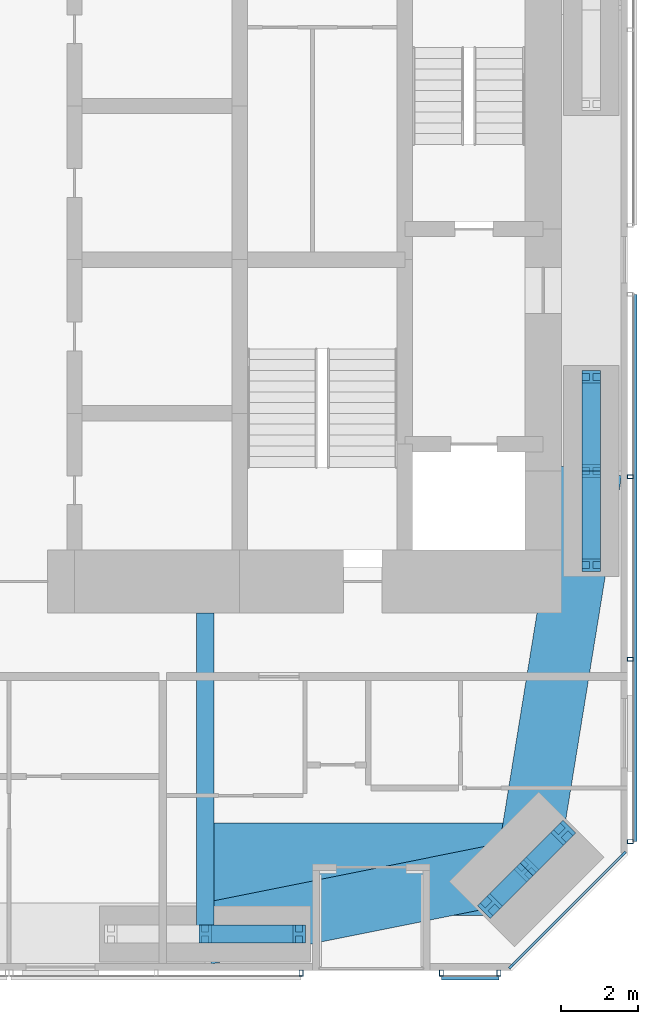
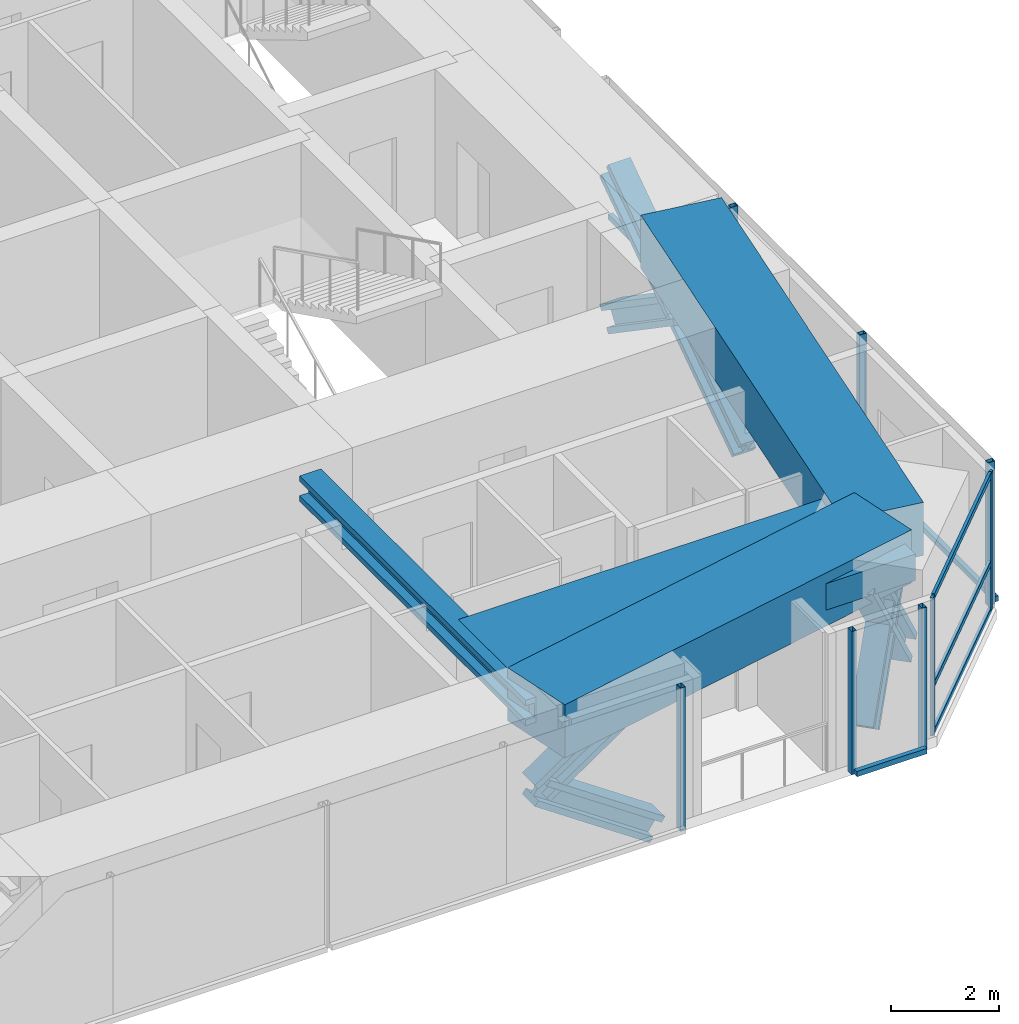
# One storey, part 7 of 22: 23 members, 4 beams, 4 elements without a shape of their own.
"""IFC4 building model written with IfcOpenShell, lengths in metres."""

from ifc_helpers import new_model, si_unit, direction, frame, origin, origin_2d, place, context, subcontext, project, spatial, rectangle, hollow_rectangle, i_section, extrude, material, material_profile, profile_set, type_object, element, aggregate, save


model = new_model("IFC4")

# Units and contexts
model_context = context("Model", 3, precision=1e-05, world=origin(), true_north=direction((0.0, 1.0)))
body_context = subcontext(model_context, "Body", "Model", "MODEL_VIEW")
ifc_project = project(units=[si_unit("LENGTHUNIT", "METRE"), si_unit("AREAUNIT", "SQUARE_METRE"), si_unit("VOLUMEUNIT", "CUBIC_METRE"), si_unit("PLANEANGLEUNIT", "RADIAN"), si_unit("MASSUNIT", "GRAM", prefix="KILO")], contexts=[model_context])

# Site, building, storey
site_placement = place(None, origin())
site = spatial("IfcSite", under=ifc_project, at=site_placement, CompositionType="ELEMENT")
building_placement = place(site_placement, origin())
building = spatial("IfcBuilding", under=site, at=building_placement, Name="Jalousie Tower", CompositionType="ELEMENT")
storey_placement = place(building_placement, frame((0.0, 0.0, 64.550048828125)))
storey = spatial("IfcBuildingStorey", under=building, at=storey_placement, Name="L17", CompositionType="ELEMENT", Elevation=64.550048828125)

# Curtain wall, members
ifc_material_1 = material(Name="Aluminium curtain wall", Category="aluminium")
curtain_wall_type_1 = type_object("IfcCurtainWallType", Name="CORNER WINDOW WALL", PredefinedType="USERDEFINED", material=ifc_material_1)
curtain_wall_1_placement = place(storey_placement, origin())
curtain_wall_1 = element("IfcCurtainWall", 1, at=curtain_wall_1_placement, inside=storey, type_object=curtain_wall_type_1, Name="Corner Window Wall L17 2", ObjectType="CORNER WINDOW WALL", PredefinedType="USERDEFINED")
ifc_material_2 = material(Name="Aluminium mullion", Category="aluminium")
ifc_material_profile_1 = material_profile(ifc_material_2, rectangle(XDim=0.06005859375, YDim=0.14990234375, at=origin_2d()), Name="MULLION 60x150")
ifc_profile_set_1 = profile_set([ifc_material_profile_1], Name="Aluminium mullion")
member_type_1 = type_object("IfcMemberType", Name="CORNER WINDOW WALL MULLION", PredefinedType="MULLION", material=ifc_profile_set_1)
member_1_placement = place(storey_placement, frame((42.969970703125, 0.108642578125, 0.0), z_axis=(0.0, 0.0, 1.0), x_axis=(-0.707106781187, 0.707106781187, 0.0)))
member_1 = element("IfcMember", 2, at=member_1_placement, type_object=member_type_1, Name="CW-C mullion 1", PredefinedType="MULLION", context=body_context, shape_type="SweptSolid", body=[
    extrude(rectangle(XDim=0.06005859375, YDim=0.14990234375, at=origin_2d()), origin(), (0.0, 0.0, 1.0), 3.10986328125),
])
member_2_placement = place(storey_placement, frame((45.891357421875, 3.030029296875, 0.0), z_axis=(0.0, 0.0, 1.0), x_axis=(-0.707106781187, 0.707106781187, 0.0)))
member_2 = element("IfcMember", 3, at=member_2_placement, type_object=member_type_1, Name="CW-C mullion 2", PredefinedType="MULLION", context=body_context, shape_type="SweptSolid", body=[
    extrude(rectangle(XDim=0.06005859375, YDim=0.14990234375, at=origin_2d()), origin(), (0.0, 0.0, 1.0), 3.10986328125),
])
ifc_material_3 = material(Name="Aluminium transom", Category="aluminium")
ifc_material_profile_2 = material_profile(ifc_material_3, rectangle(XDim=0.06005859375, YDim=0.1201171875, at=origin_2d()), Name="TRANSOM 60x120")
ifc_profile_set_2 = profile_set([ifc_material_profile_2], Name="Aluminium transom")
member_type_2 = type_object("IfcMemberType", Name="CORNER WINDOW WALL TRANSOM", PredefinedType="USERDEFINED", material=ifc_profile_set_2)
member_3_placement = place(storey_placement, frame((42.9912109375, 0.1298828125, 0.030029296875), z_axis=(0.707106781187, 0.707106781187, 0.0), x_axis=(-0.707106781187, 0.707106781187, 0.0)))
member_3 = element("IfcMember", 4, at=member_3_placement, type_object=member_type_2, Name="CW-C transom 1.1", ObjectType="TRANSOM", PredefinedType="USERDEFINED", context=body_context, shape_type="SweptSolid", body=[
    extrude(rectangle(XDim=0.06005859375, YDim=0.1201171875, at=origin_2d()), origin(), (0.0, 0.0, 1.0), 4.0712890625),
])
member_4_placement = place(storey_placement, frame((42.9912109375, 0.1298828125, 1.099853515625), z_axis=(0.707106781187, 0.707106781187, 0.0), x_axis=(-0.707106781187, 0.707106781187, 0.0)))
member_4 = element("IfcMember", 5, at=member_4_placement, type_object=member_type_2, Name="CW-C transom 1.2", ObjectType="TRANSOM", PredefinedType="USERDEFINED", context=body_context, shape_type="SweptSolid", body=[
    extrude(rectangle(XDim=0.06005859375, YDim=0.1201171875, at=origin_2d()), origin(), (0.0, 0.0, 1.0), 4.0712890625),
])
member_5_placement = place(storey_placement, frame((42.9912109375, 0.1298828125, 3.079833984375), z_axis=(0.707106781187, 0.707106781187, 0.0), x_axis=(-0.707106781187, 0.707106781187, 0.0)))
member_5 = element("IfcMember", 6, at=member_5_placement, type_object=member_type_2, Name="CW-C transom 1.3", ObjectType="TRANSOM", PredefinedType="USERDEFINED", context=body_context, shape_type="SweptSolid", body=[
    extrude(rectangle(XDim=0.06005859375, YDim=0.1201171875, at=origin_2d()), origin(), (0.0, 0.0, 1.0), 4.0712890625),
])
aggregate(curtain_wall_1, [member_1, member_2, member_3, member_4, member_5])

# Beam
ifc_material_4 = material(Name="Steel ASTM A992 Grade 50", Category="steel")
ifc_material_profile_3 = material_profile(ifc_material_4, i_section(OverallWidth=0.45458984375, OverallDepth=0.569091796875, WebThickness=0.077880859375, FlangeThickness=0.124755859375, at=origin_2d()), Name="W14X730")
ifc_profile_set_3 = profile_set([ifc_material_profile_3], Name="Steel ASTM A992 Grade 50")
beam_type_1 = type_object("IfcBeamType", Name="LEAN COLLECTOR W14X730", PredefinedType="BEAM", material=ifc_profile_set_3)
beam_1_placement = place(storey_placement, frame((35.0, 0.949951171875, 2.825439453125), z_axis=(0.0, 1.0, 0.0), x_axis=(-1.0, 0.0, 0.0)))
element("IfcBeam", 7, at=beam_1_placement, inside=storey, type_object=beam_type_1, Name="Lean collector under L18", PredefinedType="BEAM", context=body_context, shape_type="SweptSolid", body=[
    extrude(i_section(OverallWidth=0.45458984375, OverallDepth=0.569091796875, WebThickness=0.077880859375, FlangeThickness=0.124755859375, at=origin_2d()), origin(), (0.0, 0.0, 1.0), 8.35009765625),
])

# Members
ifc_material_5 = material(Name="Steel ASTM A992 Grade 50", Category="steel")
ifc_material_profile_4 = material_profile(ifc_material_5, i_section(OverallWidth=0.472412109375, OverallDepth=0.5791015625, WebThickness=0.094970703125, FlangeThickness=0.1298828125, at=origin_2d()), Name="W14X808")
ifc_profile_set_4 = profile_set([ifc_material_profile_4], Name="Steel ASTM A992 Grade 50")
member_type_3 = type_object("IfcMemberType", Name="PERIMETER BRACE W14X808", PredefinedType="BRACE", material=ifc_profile_set_4)
for number, where, z_axis, x_axis, name in (
    (8, (35.0, 0.949951171875, 1.074951171875), (0.825500916831, 0.0, 0.564400776321), (0.0, 1.0, 0.0), "Perimeter brace 04 L17 part 2"),
    (9, (37.449951171875, 0.949951171875, -0.60009765625), (-0.825500916831, 0.0, 0.564400776321), (0.0, -1.0, 0.0), "Perimeter brace 04 L17 part 3"),
):
    element("IfcMember", number, at=place(storey_placement, frame(where, z_axis=z_axis, x_axis=x_axis)), inside=storey, type_object=member_type_3, Name=name, PredefinedType="BRACE", context=body_context, shape_type="SweptSolid", body=[
        extrude(i_section(OverallWidth=0.472412109375, OverallDepth=0.5791015625, WebThickness=0.094970703125, FlangeThickness=0.1298828125, at=origin_2d()), origin(), (0.0, 0.0, 1.0), 2.9677734375),
    ])
for number, where, z_axis, x_axis, name in (
    (10, (42.4140625, 1.6767578125, -0.60009765625), (0.443718327034, 0.443718327034, 0.778606506849), (-0.707106781187, 0.707106781187, 0.0), "Perimeter brace 05 L17 part 1"),
    (11, (43.36865234375, 2.63134765625, 1.074951171875), (0.443718327034, 0.443718327034, 0.778606506849), (-0.707106781187, 0.707106781187, 0.0), "Perimeter brace 05 L17 part 2"),
    (12, (44.3232421875, 3.5859375, -0.60009765625), (-0.443718327034, -0.443718327034, 0.778606506849), (0.707106781187, -0.707106781187, 0.0), "Perimeter brace 05 L17 part 3"),
    (13, (43.36865234375, 2.63134765625, 1.074951171875), (-0.443718327034, -0.443718327034, 0.778606506849), (0.707106781187, -0.707106781187, 0.0), "Perimeter brace 05 L17 part 4"),
):
    element("IfcMember", number, at=place(storey_placement, frame(where, z_axis=z_axis, x_axis=x_axis)), inside=storey, type_object=member_type_3, Name=name, PredefinedType="BRACE", context=body_context, shape_type="SweptSolid", body=[
        extrude(i_section(OverallWidth=0.472412109375, OverallDepth=0.5791015625, WebThickness=0.094970703125, FlangeThickness=0.1298828125, at=origin_2d()), origin(), (0.0, 0.0, 1.0), 2.1513671875),
    ])
for number, where, z_axis, x_axis, name in (
    (14, (45.050048828125, 10.550048828125, -0.60009765625), (0.0, 0.825500916831, 0.564400776321), (-1.0, 0.0, 0.0), "Perimeter brace 06 L17 part 1"),
    (15, (45.050048828125, 13.0, 1.074951171875), (0.0, 0.825500916831, 0.564400776321), (-1.0, 0.0, 0.0), "Perimeter brace 06 L17 part 2"),
    (16, (45.050048828125, 15.449951171875, -0.60009765625), (0.0, -0.825500916831, 0.564400776321), (1.0, 0.0, 0.0), "Perimeter brace 06 L17 part 3"),
    (17, (45.050048828125, 13.0, 1.074951171875), (0.0, -0.825500916831, 0.564400776321), (1.0, 0.0, 0.0), "Perimeter brace 06 L17 part 4"),
):
    element("IfcMember", number, at=place(storey_placement, frame(where, z_axis=z_axis, x_axis=x_axis)), inside=storey, type_object=member_type_3, Name=name, PredefinedType="BRACE", context=body_context, shape_type="SweptSolid", body=[
        extrude(i_section(OverallWidth=0.472412109375, OverallDepth=0.5791015625, WebThickness=0.094970703125, FlangeThickness=0.1298828125, at=origin_2d()), origin(), (0.0, 0.0, 1.0), 2.9677734375),
    ])

# Beams
ifc_material_6 = material(Name="Concrete f'c 40 MPa", Category="concrete")
ifc_material_profile_5 = material_profile(ifc_material_6, rectangle(XDim=1.60009765625, YDim=1.199951171875, at=origin_2d()), Name="RC 1600x1200")
ifc_profile_set_5 = profile_set([ifc_material_profile_5], Name="Concrete f'c 40 MPa")
beam_type_2 = type_object("IfcBeamType", Name="RC BEAM 1600x1200", PredefinedType="BEAM", material=ifc_profile_set_5)
beam_2_placement = place(storey_placement, frame((35.0, 0.949951171875, 2.75), z_axis=(0.980407585444, 0.196979609107, 0.0), x_axis=(-0.196979609107, 0.980407585444, 0.0)))
element("IfcBeam", 18, at=beam_2_placement, inside=storey, type_object=beam_type_2, Name="Edge band beam 04-05 under L18", PredefinedType="BEAM", context=body_context, shape_type="SweptSolid", body=[
    extrude(rectangle(XDim=1.60009765625, YDim=1.199951171875, at=origin_2d()), origin(), (0.0, 0.0, 1.0), 8.535888671875),
])
beam_3_placement = place(storey_placement, frame((43.36865234375, 2.63134765625, 2.75), z_axis=(0.160070546476, 0.987105577003, 0.0), x_axis=(-0.987105577003, 0.160070546476, 0.0)))
element("IfcBeam", 19, at=beam_3_placement, inside=storey, type_object=beam_type_2, Name="Edge band beam 05-06 under L18", PredefinedType="BEAM", context=body_context, shape_type="SweptSolid", body=[
    extrude(rectangle(XDim=1.60009765625, YDim=1.199951171875, at=origin_2d()), origin(), (0.0, 0.0, 1.0), 10.504150390625),
])
ifc_material_7 = material(Name="Concrete f'c 40 MPa", Category="concrete")
ifc_material_profile_6 = material_profile(ifc_material_7, rectangle(XDim=2.39990234375, YDim=0.60009765625, at=origin_2d()), Name="RC 2400x600")
ifc_profile_set_6 = profile_set([ifc_material_profile_6], Name="Concrete f'c 40 MPa")
beam_type_3 = type_object("IfcBeamType", Name="RC BEAM 2400x600", PredefinedType="BEAM", material=ifc_profile_set_6)
beam_4_placement = place(storey_placement, frame((43.36865234375, 2.63134765625, 2.81005859375), z_axis=(-1.0, 0.0, 0.0), x_axis=(0.0, -1.0, 0.0)))
element("IfcBeam", 20, at=beam_4_placement, inside=storey, type_object=beam_type_3, Name="Floor band beam under L18", PredefinedType="BEAM", context=body_context, shape_type="SweptSolid", body=[
    extrude(rectangle(XDim=2.39990234375, YDim=0.60009765625, at=origin_2d()), origin(), (0.0, 0.0, 1.0), 8.36865234375),
])

# Curtain wall, member
ifc_material_8 = material(Name="Perforated aluminium sheet", Category="aluminium")
curtain_wall_type_2 = type_object("IfcCurtainWallType", Name="SOLAR SCREEN SS-1", PredefinedType="USERDEFINED", material=ifc_material_8)
curtain_wall_2_placement = place(storey_placement, origin())
curtain_wall_2 = element("IfcCurtainWall", 21, at=curtain_wall_2_placement, inside=storey, type_object=curtain_wall_type_2, Name="Solar screen L17", ObjectType="SOLAR SCREEN SS-1", PredefinedType="USERDEFINED")
ifc_material_9 = material(Name="Steel ASTM A500 Grade C", Category="steel")
ifc_material_profile_7 = material_profile(ifc_material_9, hollow_rectangle(XDim=0.1015625, YDim=0.15234375, WallThickness=0.00634765625, at=origin_2d()), Name="HSS6X4X1/4")
ifc_profile_set_7 = profile_set([ifc_material_profile_7], Name="Steel ASTM A500 Grade C")
member_type_4 = type_object("IfcMemberType", Name="SOLAR SCREEN SS-1 MULLION", PredefinedType="MULLION", material=ifc_profile_set_7)
member_6_placement = place(storey_placement, frame((37.5, -0.0712890625, -0.1201171875), z_axis=(0.0, 0.0, 1.0), x_axis=(1.0, 0.0, 0.0)))
member_6 = element("IfcMember", 22, at=member_6_placement, type_object=member_type_4, Name="SS1 post 3", PredefinedType="MULLION", context=body_context, shape_type="SweptSolid", body=[
    extrude(hollow_rectangle(XDim=0.1015625, YDim=0.15234375, WallThickness=0.00634765625, at=origin_2d()), origin(), (0.0, 0.0, 1.0), 3.22998046875),
])
aggregate(curtain_wall_2, [member_6])

# Curtain wall, members
curtain_wall_3_placement = place(storey_placement, origin())
curtain_wall_3 = element("IfcCurtainWall", 23, at=curtain_wall_3_placement, inside=storey, type_object=curtain_wall_type_2, Name="Solar screen L17", ObjectType="SOLAR SCREEN SS-1", PredefinedType="USERDEFINED")
member_7_placement = place(storey_placement, frame((41.14990234375, -0.0712890625, -0.1201171875), z_axis=(0.0, 0.0, 1.0), x_axis=(1.0, 0.0, 0.0)))
member_7 = element("IfcMember", 24, at=member_7_placement, type_object=member_type_4, Name="SS1 post 1", PredefinedType="MULLION", context=body_context, shape_type="SweptSolid", body=[
    extrude(hollow_rectangle(XDim=0.1015625, YDim=0.15234375, WallThickness=0.00634765625, at=origin_2d()), origin(), (0.0, 0.0, 1.0), 3.22998046875),
])
member_8_placement = place(storey_placement, frame((42.648681640625, -0.0712890625, -0.1201171875), z_axis=(0.0, 0.0, 1.0), x_axis=(1.0, 0.0, 0.0)))
member_8 = element("IfcMember", 25, at=member_8_placement, type_object=member_type_4, Name="SS1 post 2", PredefinedType="MULLION", context=body_context, shape_type="SweptSolid", body=[
    extrude(hollow_rectangle(XDim=0.1015625, YDim=0.15234375, WallThickness=0.00634765625, at=origin_2d()), origin(), (0.0, 0.0, 1.0), 3.22998046875),
])

curtain_wall_4_placement = place(storey_placement, origin())
curtain_wall_4 = element("IfcCurtainWall", 26, at=curtain_wall_4_placement, inside=storey, type_object=curtain_wall_type_2, Name="Solar screen L17", ObjectType="SOLAR SCREEN SS-1", PredefinedType="USERDEFINED")
member_9_placement = place(storey_placement, frame((46.0712890625, 3.351318359375, -0.1201171875), z_axis=(0.0, 0.0, 1.0), x_axis=(0.0, 1.0, 0.0)))
member_9 = element("IfcMember", 27, at=member_9_placement, type_object=member_type_4, Name="SS1 post 1", PredefinedType="MULLION", context=body_context, shape_type="SweptSolid", body=[
    extrude(hollow_rectangle(XDim=0.1015625, YDim=0.15234375, WallThickness=0.00634765625, at=origin_2d()), origin(), (0.0, 0.0, 1.0), 3.22998046875),
])
member_10_placement = place(storey_placement, frame((46.0712890625, 8.100830078125, -0.1201171875), z_axis=(0.0, 0.0, 1.0), x_axis=(0.0, 1.0, 0.0)))
member_10 = element("IfcMember", 28, at=member_10_placement, type_object=member_type_4, Name="SS1 post 2", PredefinedType="MULLION", context=body_context, shape_type="SweptSolid", body=[
    extrude(hollow_rectangle(XDim=0.1015625, YDim=0.15234375, WallThickness=0.00634765625, at=origin_2d()), origin(), (0.0, 0.0, 1.0), 3.22998046875),
])
member_11_placement = place(storey_placement, frame((46.0712890625, 12.850341796875, -0.1201171875), z_axis=(0.0, 0.0, 1.0), x_axis=(0.0, 1.0, 0.0)))
member_11 = element("IfcMember", 29, at=member_11_placement, type_object=member_type_4, Name="SS1 post 3", PredefinedType="MULLION", context=body_context, shape_type="SweptSolid", body=[
    extrude(hollow_rectangle(XDim=0.1015625, YDim=0.15234375, WallThickness=0.00634765625, at=origin_2d()), origin(), (0.0, 0.0, 1.0), 3.22998046875),
])

# Member
ifc_material_10 = material(Name="Extruded aluminium screen rail", Category="aluminium")
ifc_material_profile_8 = material_profile(ifc_material_10, rectangle(XDim=0.1015625, YDim=0.1201171875, at=origin_2d()), Name="RAIL 102x120")
ifc_profile_set_8 = profile_set([ifc_material_profile_8], Name="Extruded aluminium screen rail")
member_type_5 = type_object("IfcMemberType", Name="SOLAR SCREEN SS-1 TRANSOM", PredefinedType="USERDEFINED", material=ifc_profile_set_8)
member_12_placement = place(storey_placement, frame((41.14990234375, -0.1982421875, -0.06005859375), z_axis=(1.0, 0.0, 0.0), x_axis=(0.0, 1.0, 0.0)))
member_12 = element("IfcMember", 30, at=member_12_placement, type_object=member_type_5, Name="SS1 rail", ObjectType="TRANSOM", PredefinedType="USERDEFINED", context=body_context, shape_type="SweptSolid", body=[
    extrude(rectangle(XDim=0.1015625, YDim=0.1201171875, at=origin_2d()), origin(), (0.0, 0.0, 1.0), 1.498779296875),
])

aggregate(curtain_wall_3, [member_7, member_8, member_12])

member_13_placement = place(storey_placement, frame((46.1982421875, 3.351318359375, -0.06005859375), z_axis=(0.0, 1.0, 0.0), x_axis=(-1.0, 0.0, 0.0)))
member_13 = element("IfcMember", 31, at=member_13_placement, type_object=member_type_5, Name="SS1 rail", ObjectType="TRANSOM", PredefinedType="USERDEFINED", context=body_context, shape_type="SweptSolid", body=[
    extrude(rectangle(XDim=0.1015625, YDim=0.1201171875, at=origin_2d()), origin(), (0.0, 0.0, 1.0), 14.248779296875),
])

aggregate(curtain_wall_4, [member_9, member_10, member_11, member_13])

save(model, "model.ifc")
